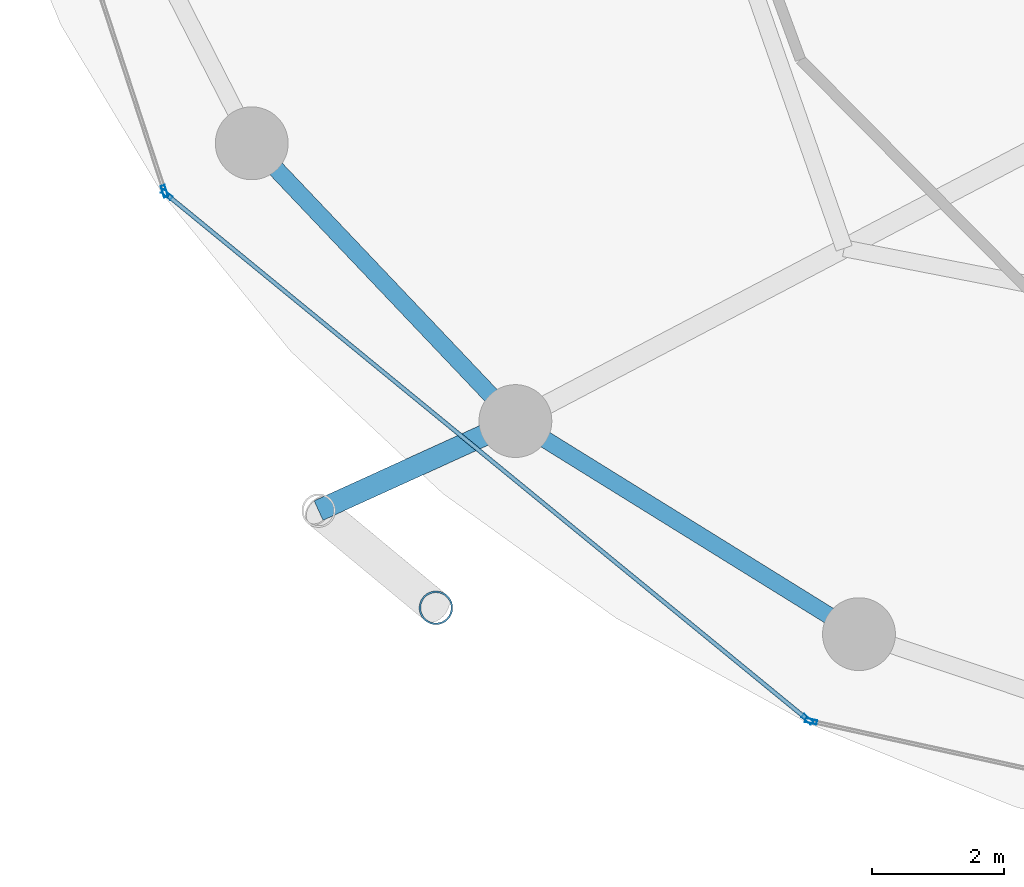
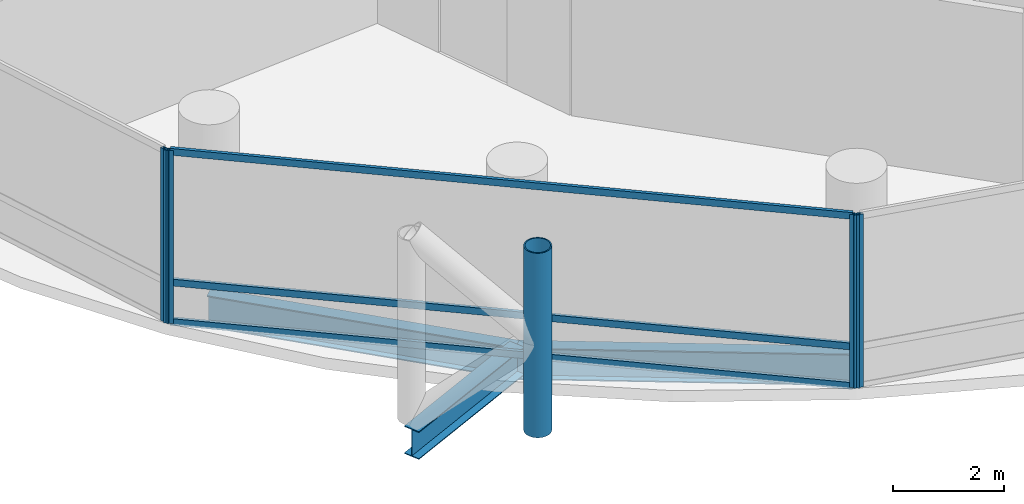
# One storey, part 2 of 24: 8 members, 3 beams, 3 elements without a shape of their own.
"""IFC4 building model written with IfcOpenShell, lengths in metres."""

from ifc_helpers import new_model, si_unit, direction, frame, origin, origin_2d, place, context, subcontext, project, spatial, hollow_rectangle, hollow_circle, i_section, extrude, material, layer, layer_set, material_profile, profile_set, type_object, element, aggregate, save


model = new_model("IFC4")

# Units and contexts
model_context = context("Model", 3, precision=1e-05, world=origin(), true_north=direction((0.0, 1.0)))
body_context = subcontext(model_context, "Body", "Model", "MODEL_VIEW")
ifc_project = project(units=[si_unit("LENGTHUNIT", "METRE"), si_unit("AREAUNIT", "SQUARE_METRE"), si_unit("VOLUMEUNIT", "CUBIC_METRE"), si_unit("PLANEANGLEUNIT", "RADIAN"), si_unit("MASSUNIT", "GRAM", prefix="KILO")], contexts=[model_context])

# Site, building, storey
site_placement = place(None, origin())
site = spatial("IfcSite", under=ifc_project, at=site_placement, CompositionType="ELEMENT")
building_placement = place(site_placement, origin())
building = spatial("IfcBuilding", under=site, at=building_placement, Name="Nuhasar Tower", CompositionType="ELEMENT")
storey_placement = place(building_placement, frame((0.0, 0.0, 81.75)))
storey = spatial("IfcBuildingStorey", under=building, at=storey_placement, Name="L19", CompositionType="ELEMENT", Elevation=81.75)

# Beams
ifc_material_1 = material(Name="Steel S355", Category="steel")
ifc_material_profile_1 = material_profile(ifc_material_1, i_section(OverallWidth=0.256103515625, OverallDepth=0.693115234375, WebThickness=0.014404296875, FlangeThickness=0.023681640625, at=origin_2d()), Name="W27X114")
ifc_profile_set_1 = profile_set([ifc_material_profile_1], Name="Steel S355")
beam_type_1 = type_object("IfcBeamType", Name="BM-RING-W27X114", PredefinedType="SPANDREL", material=ifc_profile_set_1)
beam_1_placement = place(storey_placement, frame((17.305908203125, 16.675048828125, -0.596923828125), z_axis=(0.688459812429, -0.725274490569, 0.0), x_axis=(0.725274490569, 0.688459812429, 0.0)))
element("IfcBeam", 1, at=beam_1_placement, inside=storey, type_object=beam_type_1, Name="L19 Perimeter Ring Spandrel 15", PredefinedType="SPANDREL", context=body_context, shape_type="SweptSolid", body=[
    extrude(i_section(OverallWidth=0.256103515625, OverallDepth=0.693115234375, WebThickness=0.014404296875, FlangeThickness=0.023681640625, at=origin_2d()), origin(), (0.0, 0.0, 1.0), 5.78271484375),
])
beam_2_placement = place(storey_placement, frame((21.287109375, 12.48095703125, -0.596923828125), z_axis=(0.849795216549, -0.527112976439, 0.0), x_axis=(0.527112976439, 0.849795216549, 0.0)))
element("IfcBeam", 2, at=beam_2_placement, inside=storey, type_object=beam_type_1, Name="L19 Perimeter Ring Spandrel 16", PredefinedType="SPANDREL", context=body_context, shape_type="SweptSolid", body=[
    extrude(i_section(OverallWidth=0.256103515625, OverallDepth=0.693115234375, WebThickness=0.014404296875, FlangeThickness=0.023681640625, at=origin_2d()), origin(), (0.0, 0.0, 1.0), 6.10498046875),
])
ifc_material_profile_2 = material_profile(ifc_material_1, i_section(OverallWidth=0.323974609375, OverallDepth=0.611083984375, WebThickness=0.0126953125, FlangeThickness=0.01904296875, at=origin_2d()), Name="W24X104")
ifc_profile_set_2 = profile_set([ifc_material_profile_2], Name="Steel S355")
beam_type_2 = type_object("IfcBeamType", Name="BM-TIE-W24X104", PredefinedType="BEAM", material=ifc_profile_set_2)
beam_3_placement = place(storey_placement, frame((21.287109375, 12.48095703125, -0.554931640625), z_axis=(-0.910243528587, -0.414073325227, 0.0), x_axis=(0.414073325227, -0.910243528587, 0.0)))
element("IfcBeam", 3, at=beam_3_placement, inside=storey, type_object=beam_type_2, Name="L19 Exoskeleton Node Tie Beam 08", PredefinedType="BEAM", context=body_context, shape_type="SweptSolid", body=[
    extrude(i_section(OverallWidth=0.323974609375, OverallDepth=0.611083984375, WebThickness=0.0126953125, FlangeThickness=0.01904296875, at=origin_2d()), origin(), (0.0, 0.0, 1.0), 3.26513671875),
])

# Curtain wall, member
ifc_material_2 = material(Name="Aluminium 6063-T6", Category="aluminium")
ifc_layer = layer(ifc_material_2, 0.199951171875)
ifc_layer_set = layer_set([ifc_layer], Name="Aluminium 6063-T6")
curtain_wall_type = type_object("IfcCurtainWallType", Name="CW-Z1-OFF", PredefinedType="NOTDEFINED", material=ifc_layer_set)
curtain_wall_1_placement = place(storey_placement, origin())
curtain_wall_1 = element("IfcCurtainWall", 4, at=curtain_wall_1_placement, inside=storey, type_object=curtain_wall_type, Name="L19 Unitised Curtain Wall 07", PredefinedType="NOTDEFINED")
ifc_material_profile_3 = material_profile(ifc_material_2, hollow_rectangle(XDim=0.06494140625, YDim=0.179931640625, WallThickness=0.0048828125, at=origin_2d()), Name="CWM-2")
ifc_profile_set_3 = profile_set([ifc_material_profile_3], Name="Aluminium 6063-T6")
member_type_1 = type_object("IfcMemberType", Name="CW-MUL-S2", PredefinedType="MULLION", material=ifc_profile_set_3)
member_1_placement = place(storey_placement, frame((15.98779296875, 15.950927734375, 0.0), z_axis=(0.0, 0.0, 1.0), x_axis=(0.950467534571, 0.310823849997, 0.0)))
member_1 = element("IfcMember", 5, at=member_1_placement, type_object=member_type_1, Name="CW-Z1 mullion 2", PredefinedType="MULLION", context=body_context, shape_type="SweptSolid", body=[
    extrude(hollow_rectangle(XDim=0.06494140625, YDim=0.179931640625, WallThickness=0.0048828125, at=origin_2d()), origin(), (0.0, 0.0, 1.0), 3.800048828125),
])
aggregate(curtain_wall_1, [member_1])

# Curtain wall, members
curtain_wall_2_placement = place(storey_placement, origin())
curtain_wall_2 = element("IfcCurtainWall", 6, at=curtain_wall_2_placement, inside=storey, type_object=curtain_wall_type, Name="L19 Unitised Curtain Wall 08", PredefinedType="NOTDEFINED")
member_2_placement = place(storey_placement, frame((16.023193359375, 15.8994140625, 0.0), z_axis=(0.0, 0.0, 1.0), x_axis=(0.633744593376, 0.773542364946, 0.0)))
member_2 = element("IfcMember", 7, at=member_2_placement, type_object=member_type_1, Name="CW-Z1 mullion 1", PredefinedType="MULLION", context=body_context, shape_type="SweptSolid", body=[
    extrude(hollow_rectangle(XDim=0.06494140625, YDim=0.179931640625, WallThickness=0.0048828125, at=origin_2d()), origin(), (0.0, 0.0, 1.0), 3.800048828125),
])
member_3_placement = place(storey_placement, frame((25.69482421875, 7.9755859375, 0.0), z_axis=(0.0, 0.0, 1.0), x_axis=(0.633744593376, 0.773542364946, 0.0)))
member_3 = element("IfcMember", 8, at=member_3_placement, type_object=member_type_1, Name="CW-Z1 mullion 2", PredefinedType="MULLION", context=body_context, shape_type="SweptSolid", body=[
    extrude(hollow_rectangle(XDim=0.06494140625, YDim=0.179931640625, WallThickness=0.0048828125, at=origin_2d()), origin(), (0.0, 0.0, 1.0), 3.800048828125),
])

# Curtain wall, member
curtain_wall_3_placement = place(storey_placement, origin())
curtain_wall_3 = element("IfcCurtainWall", 9, at=curtain_wall_3_placement, inside=storey, type_object=curtain_wall_type, Name="L19 Unitised Curtain Wall 09", PredefinedType="NOTDEFINED")
member_4_placement = place(storey_placement, frame((25.751708984375, 7.947998046875, 0.0), z_axis=(0.0, 0.0, 1.0), x_axis=(0.214398737637, 0.976746221544, 0.0)))
member_4 = element("IfcMember", 10, at=member_4_placement, type_object=member_type_1, Name="CW-Z1 mullion 1", PredefinedType="MULLION", context=body_context, shape_type="SweptSolid", body=[
    extrude(hollow_rectangle(XDim=0.06494140625, YDim=0.179931640625, WallThickness=0.0048828125, at=origin_2d()), origin(), (0.0, 0.0, 1.0), 3.800048828125),
])
aggregate(curtain_wall_3, [member_4])

# Member
ifc_material_profile_4 = material_profile(ifc_material_2, hollow_rectangle(XDim=0.06494140625, YDim=0.14990234375, WallThickness=0.00439453125, at=origin_2d()), Name="CWT-2")
ifc_profile_set_4 = profile_set([ifc_material_profile_4], Name="Aluminium 6063-T6")
member_type_2 = type_object("IfcMemberType", Name="CW-TRN-S2", PredefinedType="USERDEFINED", material=ifc_profile_set_4)
member_5_placement = place(storey_placement, frame((16.04833984375, 15.87890625, 0.032470703125), z_axis=(0.773531229158, -0.633758185365, 0.0), x_axis=(0.633758185365, 0.773531229158, 0.0)))
member_5 = element("IfcMember", 11, at=member_5_placement, type_object=member_type_2, Name="CW-Z1 transom 1.1", ObjectType="TRANSOM", PredefinedType="USERDEFINED", context=body_context, shape_type="SweptSolid", body=[
    extrude(hollow_rectangle(XDim=0.06494140625, YDim=0.14990234375, WallThickness=0.00439453125, at=origin_2d()), origin(), (0.0, 0.0, 1.0), 12.438232421875),
])

member_6_placement = place(storey_placement, frame((16.04833984375, 15.87890625, 0.89990234375), z_axis=(0.773531229158, -0.633758185365, 0.0), x_axis=(0.633758185365, 0.773531229158, 0.0)))
member_6 = element("IfcMember", 12, at=member_6_placement, type_object=member_type_2, Name="CW-Z1 transom 1.2", ObjectType="TRANSOM", PredefinedType="USERDEFINED", context=body_context, shape_type="SweptSolid", body=[
    extrude(hollow_rectangle(XDim=0.06494140625, YDim=0.14990234375, WallThickness=0.00439453125, at=origin_2d()), origin(), (0.0, 0.0, 1.0), 12.438232421875),
])

member_7_placement = place(storey_placement, frame((16.04833984375, 15.87890625, 3.767578125), z_axis=(0.773531229158, -0.633758185365, 0.0), x_axis=(0.633758185365, 0.773531229158, 0.0)))
member_7 = element("IfcMember", 13, at=member_7_placement, type_object=member_type_2, Name="CW-Z1 transom 1.3", ObjectType="TRANSOM", PredefinedType="USERDEFINED", context=body_context, shape_type="SweptSolid", body=[
    extrude(hollow_rectangle(XDim=0.06494140625, YDim=0.14990234375, WallThickness=0.00439453125, at=origin_2d()), origin(), (0.0, 0.0, 1.0), 12.438232421875),
])

aggregate(curtain_wall_2, [member_2, member_3, member_5, member_6, member_7])

ifc_material_3 = material(Name="Steel S460", Category="steel")
ifc_material_profile_5 = material_profile(ifc_material_3, hollow_circle(Radius=0.25390625, WallThickness=0.025390625, at=origin_2d()), Name="HSS508X25.4")
ifc_profile_set_5 = profile_set([ifc_material_profile_5], Name="Steel S460")
member_type_3 = type_object("IfcMemberType", Name="EXO-BRONZE-508", PredefinedType="BRACE", material=ifc_profile_set_5)
member_8_placement = place(storey_placement, frame((20.0869140625, 9.660888671875, 0.0), z_axis=(0.0, 0.0, 1.0), x_axis=(1.0, 0.0, 0.0)))
element("IfcMember", 14, at=member_8_placement, inside=storey, type_object=member_type_3, Name="L19 Exoskeleton Chord Column EC-08B", PredefinedType="BRACE", context=body_context, shape_type="SweptSolid", body=[
    extrude(hollow_circle(Radius=0.25390625, WallThickness=0.025390625, at=origin_2d()), origin(), (0.0, 0.0, 1.0), 4.050048828125),
])

save(model, "model.ifc")
